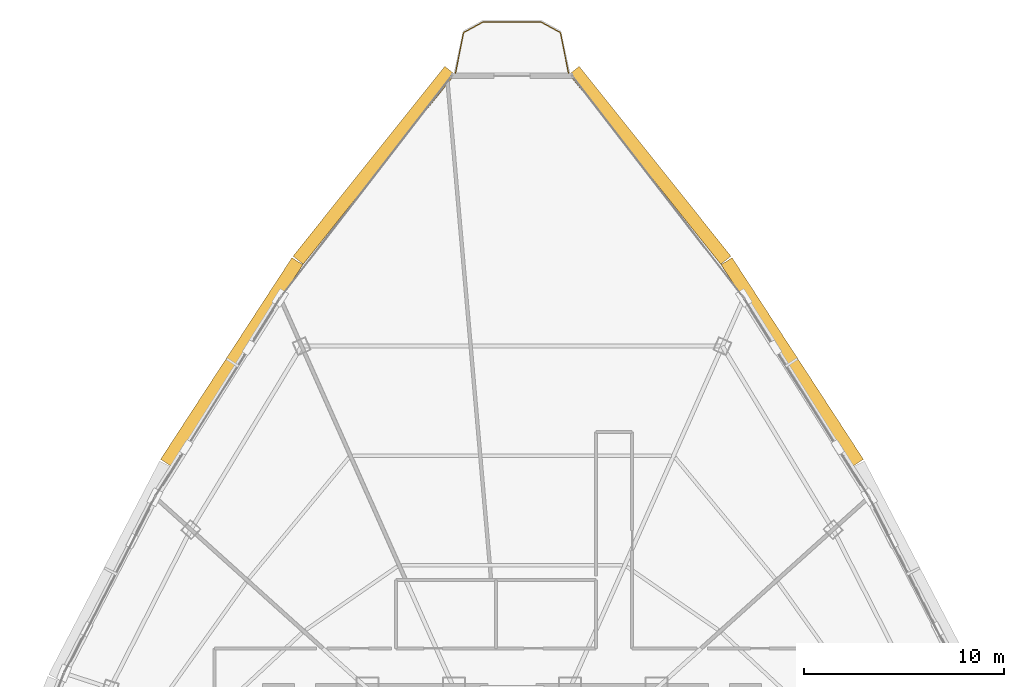
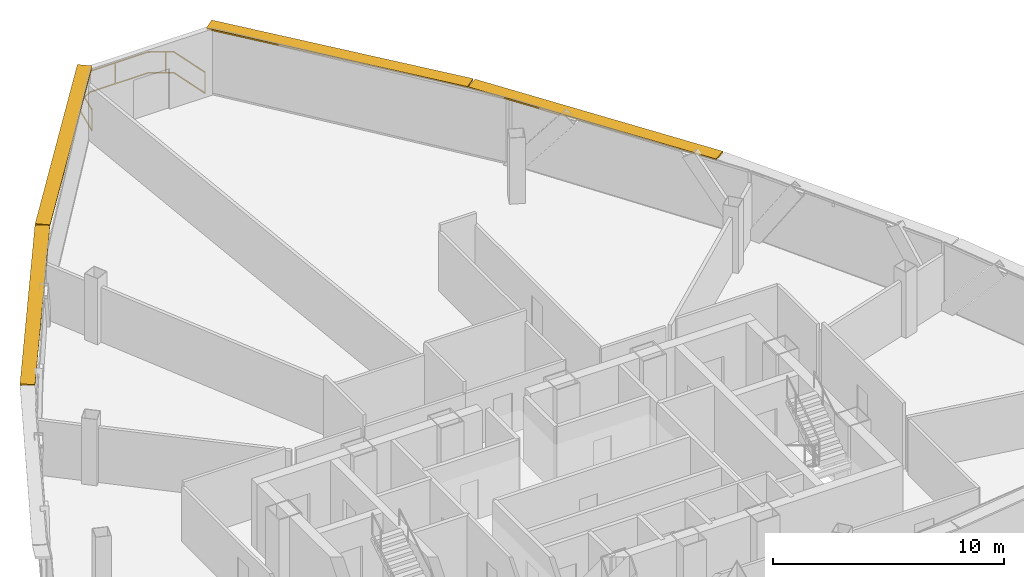
# One storey, part 30 of 30: 4 shading devices, 1 railing.
"""IFC4 building model written with IfcOpenShell, lengths in metres."""

from ifc_helpers import new_model, si_unit, direction, frame, origin, origin_2d, place, context, subcontext, project, spatial, rectangle, extrude, source, transform, mapped, material, layer, layer_set, type_object, element, save


model = new_model("IFC4")

# Units and contexts
model_context = context("Model", 3, precision=1e-05, world=origin(), true_north=direction((0.0, 1.0)))
body_context = subcontext(model_context, "Body", "Model", "MODEL_VIEW")
ifc_project = project(units=[si_unit("LENGTHUNIT", "METRE"), si_unit("AREAUNIT", "SQUARE_METRE"), si_unit("VOLUMEUNIT", "CUBIC_METRE"), si_unit("PLANEANGLEUNIT", "RADIAN"), si_unit("MASSUNIT", "GRAM", prefix="KILO"), si_unit("THERMODYNAMICTEMPERATUREUNIT", "KELVIN"), si_unit("POWERUNIT", "WATT")], contexts=[model_context])

# Site, building, storey
site_placement = place(None, origin())
site = spatial("IfcSite", under=ifc_project, at=site_placement, CompositionType="ELEMENT")
building_placement = place(site_placement, origin())
building = spatial("IfcBuilding", under=site, at=building_placement, Name="Yunzhuo Pagoda Commons", CompositionType="ELEMENT")
storey_placement = place(building_placement, frame((0.0, 0.0, 351.760009765625)))
storey = spatial("IfcBuildingStorey", under=building, at=storey_placement, Name="L88", CompositionType="ELEMENT", Elevation=351.760009765625)

# Railing
ifc_material = material(Name="Anodized aluminium 6063-T6", Category="aluminium")
railing_type = type_object("IfcRailingType", Name="RL-BAL1 Exterior Terrace & Balcony Balustrade 1150", PredefinedType="BALUSTRADE", material=ifc_material)
railing_placement = place(storey_placement, frame((50.819091796875, 70.908935546875, 0.0)))
element("IfcRailing", 1, at=railing_placement, inside=storey, type_object=railing_type, Name="L88 corner balcony balustrade V3", PredefinedType="BALUSTRADE", context=body_context, shape_type="SweptSolid", body=[
    extrude(rectangle(XDim=0.048095703125, YDim=0.048095703125, at=origin_2d()), frame((0.0, 0.0, 1.1259765625), z_axis=(-0.194200568098, 0.980961843983, 0.0), x_axis=(-0.980961843983, -0.194200568098, 0.0)), (0.0, 0.0, 1.0), 2.059326171875),
    extrude(rectangle(XDim=0.048095703125, YDim=0.048095703125, at=origin_2d()), frame((0.0, 0.0, 0.02392578125), z_axis=(-0.194200568098, 0.980961843983, 0.0), x_axis=(-0.980961843983, -0.194200568098, 0.0)), (0.0, 0.0, 1.0), 2.059326171875),
    extrude(rectangle(XDim=0.048095703125, YDim=0.048095703125, at=origin_2d()), frame((-0.39990234375, 2.02001953125, 1.1259765625), z_axis=(-0.87743072254, 0.479703374121, 0.0), x_axis=(-0.479703374121, -0.87743072254, 0.0)), (0.0, 0.0, 1.0), 1.10498046875),
    extrude(rectangle(XDim=0.048095703125, YDim=0.048095703125, at=origin_2d()), frame((-0.39990234375, 2.02001953125, 0.02392578125), z_axis=(-0.87743072254, 0.479703374121, 0.0), x_axis=(-0.479703374121, -0.87743072254, 0.0)), (0.0, 0.0, 1.0), 1.10498046875),
    extrude(rectangle(XDim=0.048095703125, YDim=0.048095703125, at=origin_2d()), frame((-1.369384765625, 2.550048828125, 1.1259765625), z_axis=(-1.0, 0.0, 0.0), x_axis=(0.0, -1.0, 0.0)), (0.0, 0.0, 1.0), 2.8994140625),
    extrude(rectangle(XDim=0.048095703125, YDim=0.048095703125, at=origin_2d()), frame((-1.369384765625, 2.550048828125, 0.02392578125), z_axis=(-1.0, 0.0, 0.0), x_axis=(0.0, -1.0, 0.0)), (0.0, 0.0, 1.0), 2.8994140625),
    extrude(rectangle(XDim=0.048095703125, YDim=0.048095703125, at=origin_2d()), frame((-4.268798828125, 2.550048828125, 1.1259765625), z_axis=(-0.87743072254, -0.479703374121, 0.0), x_axis=(0.479703374121, -0.87743072254, 0.0)), (0.0, 0.0, 1.0), 1.10498046875),
    extrude(rectangle(XDim=0.048095703125, YDim=0.048095703125, at=origin_2d()), frame((-4.268798828125, 2.550048828125, 0.02392578125), z_axis=(-0.87743072254, -0.479703374121, 0.0), x_axis=(0.479703374121, -0.87743072254, 0.0)), (0.0, 0.0, 1.0), 1.10498046875),
    extrude(rectangle(XDim=0.048095703125, YDim=0.048095703125, at=origin_2d()), frame((-5.23828125, 2.02001953125, 1.1259765625), z_axis=(-0.194200568098, -0.980961843983, 0.0), x_axis=(0.980961843983, -0.194200568098, 0.0)), (0.0, 0.0, 1.0), 2.059326171875),
    extrude(rectangle(XDim=0.048095703125, YDim=0.048095703125, at=origin_2d()), frame((-5.23828125, 2.02001953125, 0.02392578125), z_axis=(-0.194200568098, -0.980961843983, 0.0), x_axis=(0.980961843983, -0.194200568098, 0.0)), (0.0, 0.0, 1.0), 2.059326171875),
    extrude(rectangle(XDim=0.0419921875, YDim=0.0419921875, at=origin_2d()), origin(), (0.0, 0.0, 1.0), 1.101806640625),
    extrude(rectangle(XDim=0.0419921875, YDim=0.0419921875, at=origin_2d()), frame((-0.698974609375, 2.18359375, 0.0)), (0.0, 0.0, 1.0), 1.101806640625),
    extrude(rectangle(XDim=0.0419921875, YDim=0.0419921875, at=origin_2d()), frame((-3.00537109375, 2.550048828125, 0.0)), (0.0, 0.0, 1.0), 1.101806640625),
    extrude(rectangle(XDim=0.0419921875, YDim=0.0419921875, at=origin_2d()), frame((-5.244384765625, 1.989013671875, 0.0)), (0.0, 0.0, 1.0), 1.101806640625),
    extrude(rectangle(XDim=0.0419921875, YDim=0.0419921875, at=origin_2d()), frame((-5.63818359375, 0.0, 0.0)), (0.0, 0.0, 1.0), 1.101806640625),
])

# Shading devices
ifc_layer = layer(ifc_material, 0.080078125)
ifc_layer_set = layer_set([ifc_layer], Name="Anodized aluminium 6063-T6")
shading_device_type = type_object("IfcShadingDeviceType", Name="SH-SUN1 Pagoda Horizontal Sunshade Eave 650", PredefinedType="USERDEFINED", material=ifc_layer_set)
shared_shape_1 = source(origin(), body_context, "Body", "SweptSolid", [
    extrude(rectangle(XDim=12.01171875, YDim=0.64990234375, at=origin_2d()), origin(), (0.0, 0.0, 1.0), 0.080078125),
])
for number, where, z_axis, x_axis, name in (
    (2, (61.98779296875, 56.48876953125, 3.409912109375), (0.0, 0.0, 1.0), (-0.545853380833, 0.837880711458, 0.0), "L88 horizontal pagoda sunshade eave F2.3"),
    (3, (34.01220703125, 56.48876953125, 3.409912109375), (0.0, 0.0, 1.0), (-0.545853380833, -0.837880711458, 0.0), "L88 horizontal pagoda sunshade eave F3.2"),
):
    element("IfcShadingDevice", number, at=place(storey_placement, frame(where, z_axis=z_axis, x_axis=x_axis)), inside=storey, type_object=shading_device_type, Name=name, ObjectType="SUNSHADE", PredefinedType="USERDEFINED", context=body_context, shape_type="MappedRepresentation", body=[
        mapped(shared_shape_1, transform((0.0, 0.0, 0.0), scale=1.0)),
    ])
shared_shape_2 = source(origin(), body_context, "Body", "SweptSolid", [
    extrude(rectangle(XDim=12.126708984375, YDim=0.64990234375, at=origin_2d()), origin(), (0.0, 0.0, 1.0), 0.080078125),
])
for number, where, z_axis, x_axis, name in (
    (4, (54.8857421875, 66.3076171875, 3.409912109375), (0.0, 0.0, 1.0), (-0.624520471688, 0.781008438138, 0.0), "L88 horizontal pagoda sunshade eave F2.4"),
    (5, (41.1142578125, 66.3076171875, 3.409912109375), (0.0, 0.0, 1.0), (-0.624520471688, -0.781008438138, 0.0), "L88 horizontal pagoda sunshade eave F3.1"),
):
    element("IfcShadingDevice", number, at=place(storey_placement, frame(where, z_axis=z_axis, x_axis=x_axis)), inside=storey, type_object=shading_device_type, Name=name, ObjectType="SUNSHADE", PredefinedType="USERDEFINED", context=body_context, shape_type="MappedRepresentation", body=[
        mapped(shared_shape_2, transform((0.0, 0.0, 0.0), scale=1.0)),
    ])

save(model, "model.ifc")
